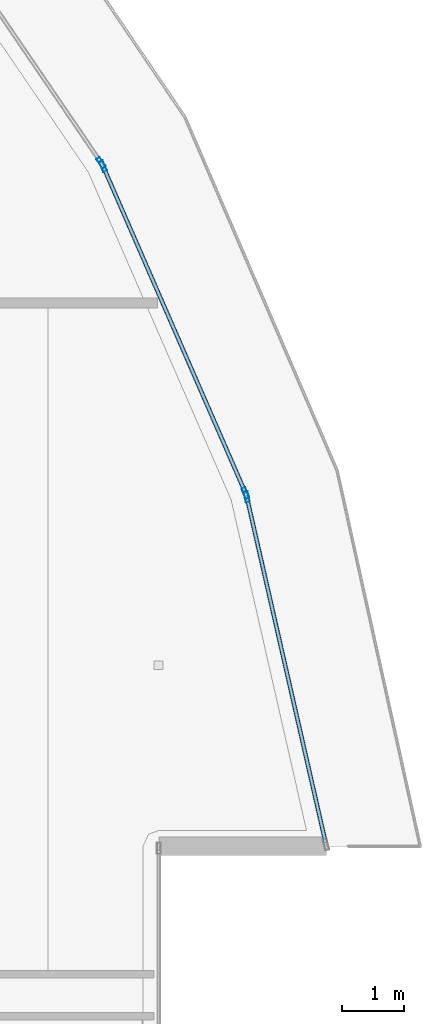
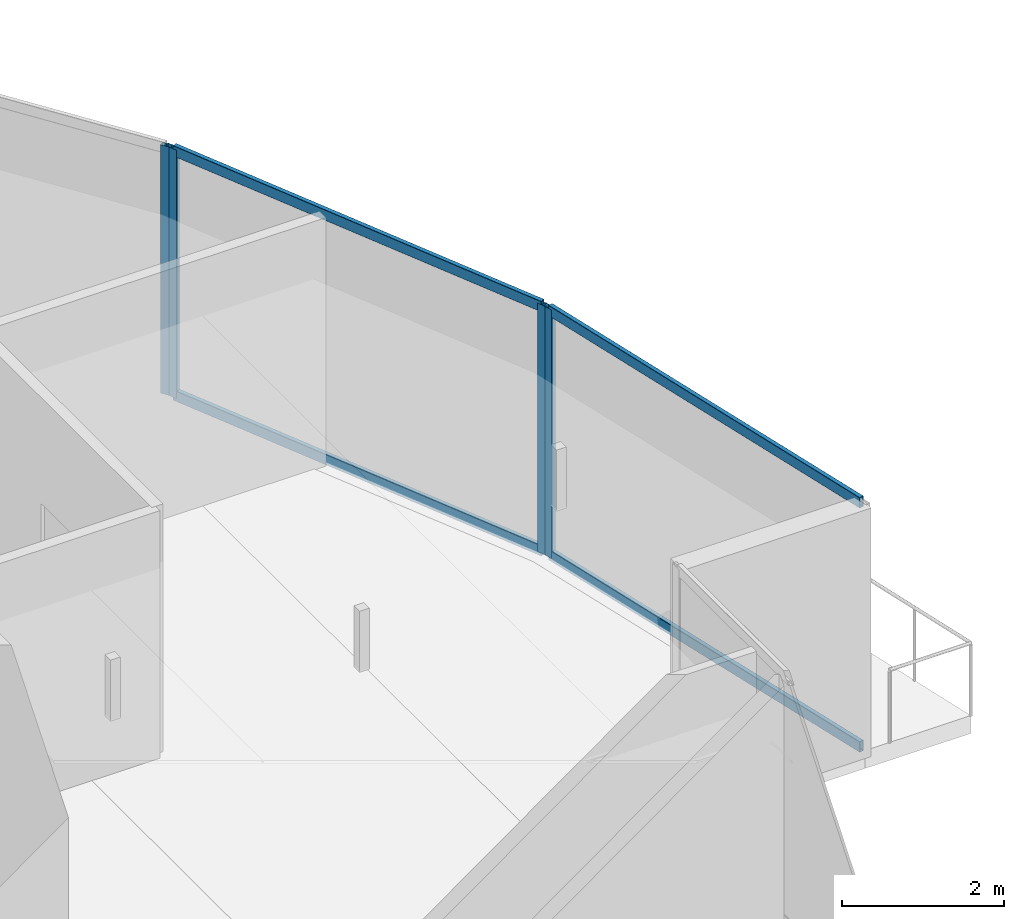
# One storey, part 22 of 34: 8 members, 3 elements without a shape of their own.
"""IFC4 building model written with IfcOpenShell, lengths in metres."""

from ifc_helpers import new_model, si_unit, direction, frame, origin, origin_2d, place, context, subcontext, project, spatial, hollow_rectangle, extrude, material, layer, layer_set, material_profile, profile_set, type_object, element, aggregate, save


model = new_model("IFC4")

# Units and contexts
model_context = context("Model", 3, precision=1e-05, world=origin(), true_north=direction((0.0, 1.0)))
body_context = subcontext(model_context, "Body", "Model", "MODEL_VIEW")
ifc_project = project(units=[si_unit("LENGTHUNIT", "METRE"), si_unit("AREAUNIT", "SQUARE_METRE"), si_unit("VOLUMEUNIT", "CUBIC_METRE"), si_unit("PLANEANGLEUNIT", "RADIAN"), si_unit("MASSUNIT", "GRAM", prefix="KILO")], contexts=[model_context])

# Site, building, storey
site_placement = place(None, origin())
site = spatial("IfcSite", under=ifc_project, at=site_placement, CompositionType="ELEMENT")
building_placement = place(site_placement, origin())
building = spatial("IfcBuilding", under=site, at=building_placement, Name="Qorvath Tower", CompositionType="ELEMENT")
storey_placement = place(building_placement, frame((0.0, 0.0, 245.550048828125)))
storey = spatial("IfcBuildingStorey", under=building, at=storey_placement, Name="L57", CompositionType="ELEMENT", Elevation=245.550048828125)

# Curtain wall, member
ifc_material_1 = material(Name="Anodised aluminium and triple low-E glass", Category="aluminium")
ifc_layer = layer(ifc_material_1, 0.179931640625)
ifc_layer_set = layer_set([ifc_layer], Name="CW-SYS-3")
curtain_wall_type = type_object("IfcCurtainWallType", Name="CW-SYS-3", PredefinedType="NOTDEFINED", material=ifc_layer_set)
curtain_wall_1_placement = place(storey_placement, origin())
curtain_wall_1 = element("IfcCurtainWall", 1, at=curtain_wall_1_placement, inside=storey, type_object=curtain_wall_type, Name="Curtain Wall CW-3 CW-T-L57-11.1", PredefinedType="NOTDEFINED")
ifc_material_2 = material(Name="Anodised aluminium 6063-T6", Category="aluminium")
ifc_material_profile_1 = material_profile(ifc_material_2, hollow_rectangle(XDim=0.06494140625, YDim=0.179931640625, WallThickness=0.00341796875, InnerFilletRadius=0.00341796875, OuterFilletRadius=0.007080078125, at=origin_2d()), Name="CWM 180x65")
ifc_profile_set_1 = profile_set([ifc_material_profile_1], Name="Anodised aluminium 6063-T6")
member_type_1 = type_object("IfcMemberType", Name="CWM-180", PredefinedType="MULLION", material=ifc_profile_set_1)
member_1_placement = place(storey_placement, frame((-1.6552734375, 9.64208984375, 0.0), z_axis=(0.0, 0.0, 1.0), x_axis=(-0.97499971703, -0.222206102058, 0.0)))
member_1 = element("IfcMember", 2, at=member_1_placement, type_object=member_type_1, Name="CW-3 mullion 2", PredefinedType="MULLION", context=body_context, shape_type="SweptSolid", body=[
    extrude(hollow_rectangle(XDim=0.06494140625, YDim=0.179931640625, WallThickness=0.00341796875, InnerFilletRadius=0.00341796875, OuterFilletRadius=0.007080078125, at=origin_2d()), origin(), (0.0, 0.0, 1.0), 3.75),
])

# Curtain wall, members
curtain_wall_2_placement = place(storey_placement, origin())
curtain_wall_2 = element("IfcCurtainWall", 3, at=curtain_wall_2_placement, inside=storey, type_object=curtain_wall_type, Name="Curtain Wall CW-3 CW-T-L57-12.1", PredefinedType="NOTDEFINED")
member_2_placement = place(storey_placement, frame((-1.67529296875, 9.70361328125, 0.0), z_axis=(0.0, 0.0, 1.0), x_axis=(-0.916700023631, -0.399576108738, 0.0)))
member_2 = element("IfcMember", 4, at=member_2_placement, type_object=member_type_1, Name="CW-3 mullion 1", PredefinedType="MULLION", context=body_context, shape_type="SweptSolid", body=[
    extrude(hollow_rectangle(XDim=0.06494140625, YDim=0.179931640625, WallThickness=0.00341796875, InnerFilletRadius=0.00341796875, OuterFilletRadius=0.007080078125, at=origin_2d()), origin(), (0.0, 0.0, 1.0), 3.75),
])
member_3_placement = place(storey_placement, frame((-3.9609375, 14.947021484375, 0.0), z_axis=(0.0, 0.0, 1.0), x_axis=(-0.916700023631, -0.399576108738, 0.0)))
member_3 = element("IfcMember", 5, at=member_3_placement, type_object=member_type_1, Name="CW-3 mullion 2", PredefinedType="MULLION", context=body_context, shape_type="SweptSolid", body=[
    extrude(hollow_rectangle(XDim=0.06494140625, YDim=0.179931640625, WallThickness=0.00341796875, InnerFilletRadius=0.00341796875, OuterFilletRadius=0.007080078125, at=origin_2d()), origin(), (0.0, 0.0, 1.0), 3.75),
])

# Curtain wall, member
curtain_wall_3_placement = place(storey_placement, origin())
curtain_wall_3 = element("IfcCurtainWall", 6, at=curtain_wall_3_placement, inside=storey, type_object=curtain_wall_type, Name="Curtain Wall CW-3 CW-T-L57-13.1", PredefinedType="NOTDEFINED")
member_4_placement = place(storey_placement, frame((-3.9921875, 15.003662109375, 0.0), z_axis=(0.0, 0.0, 1.0), x_axis=(-0.826431361544, -0.563037480685, 0.0)))
member_4 = element("IfcMember", 7, at=member_4_placement, type_object=member_type_1, Name="CW-3 mullion 1", PredefinedType="MULLION", context=body_context, shape_type="SweptSolid", body=[
    extrude(hollow_rectangle(XDim=0.06494140625, YDim=0.179931640625, WallThickness=0.00341796875, InnerFilletRadius=0.00341796875, OuterFilletRadius=0.007080078125, at=origin_2d()), origin(), (0.0, 0.0, 1.0), 3.75),
])
aggregate(curtain_wall_3, [member_4])

# Member
ifc_material_3 = material(Name="Anodised aluminium 6063-T6", Category="aluminium")
ifc_material_profile_2 = material_profile(ifc_material_3, hollow_rectangle(XDim=0.06494140625, YDim=0.159912109375, WallThickness=0.00341796875, InnerFilletRadius=0.00341796875, OuterFilletRadius=0.007080078125, at=origin_2d()), Name="CWT 160x65")
ifc_profile_set_2 = profile_set([ifc_material_profile_2], Name="Anodised aluminium 6063-T6")
member_type_2 = type_object("IfcMemberType", Name="CWT-160", PredefinedType="USERDEFINED", material=ifc_profile_set_2)
member_5_placement = place(storey_placement, frame((-0.391357421875, 4.09716796875, 0.032470703125), z_axis=(-0.222225691425, 0.974995252332, 0.0), x_axis=(-0.974995252332, -0.222225691425, 0.0)))
member_5 = element("IfcMember", 8, at=member_5_placement, type_object=member_type_2, Name="CW-3 transom 1.1", ObjectType="TRANSOM", PredefinedType="USERDEFINED", context=body_context, shape_type="SweptSolid", body=[
    extrude(hollow_rectangle(XDim=0.06494140625, YDim=0.159912109375, WallThickness=0.00341796875, InnerFilletRadius=0.00341796875, OuterFilletRadius=0.007080078125, at=origin_2d()), origin(), (0.0, 0.0, 1.0), 5.654541015625),
])

member_6_placement = place(storey_placement, frame((-0.391357421875, 4.09716796875, 3.717529296875), z_axis=(-0.222225691425, 0.974995252332, 0.0), x_axis=(-0.974995252332, -0.222225691425, 0.0)))
member_6 = element("IfcMember", 9, at=member_6_placement, type_object=member_type_2, Name="CW-3 transom 1.2", ObjectType="TRANSOM", PredefinedType="USERDEFINED", context=body_context, shape_type="SweptSolid", body=[
    extrude(hollow_rectangle(XDim=0.06494140625, YDim=0.159912109375, WallThickness=0.00341796875, InnerFilletRadius=0.00341796875, OuterFilletRadius=0.007080078125, at=origin_2d()), origin(), (0.0, 0.0, 1.0), 5.654541015625),
])

aggregate(curtain_wall_1, [member_1, member_5, member_6])

member_7_placement = place(storey_placement, frame((-1.6884765625, 9.7333984375, 0.032470703125), z_axis=(-0.399570536345, 0.916702452536, 0.0), x_axis=(-0.916702452536, -0.399570536345, 0.0)))
member_7 = element("IfcMember", 10, at=member_7_placement, type_object=member_type_2, Name="CW-3 transom 1.1", ObjectType="TRANSOM", PredefinedType="USERDEFINED", context=body_context, shape_type="SweptSolid", body=[
    extrude(hollow_rectangle(XDim=0.06494140625, YDim=0.159912109375, WallThickness=0.00341796875, InnerFilletRadius=0.00341796875, OuterFilletRadius=0.007080078125, at=origin_2d()), origin(), (0.0, 0.0, 1.0), 5.65478515625),
])

member_8_placement = place(storey_placement, frame((-1.6884765625, 9.7333984375, 3.717529296875), z_axis=(-0.399570536345, 0.916702452536, 0.0), x_axis=(-0.916702452536, -0.399570536345, 0.0)))
member_8 = element("IfcMember", 11, at=member_8_placement, type_object=member_type_2, Name="CW-3 transom 1.2", ObjectType="TRANSOM", PredefinedType="USERDEFINED", context=body_context, shape_type="SweptSolid", body=[
    extrude(hollow_rectangle(XDim=0.06494140625, YDim=0.159912109375, WallThickness=0.00341796875, InnerFilletRadius=0.00341796875, OuterFilletRadius=0.007080078125, at=origin_2d()), origin(), (0.0, 0.0, 1.0), 5.65478515625),
])

aggregate(curtain_wall_2, [member_2, member_3, member_7, member_8])

save(model, "model.ifc")
